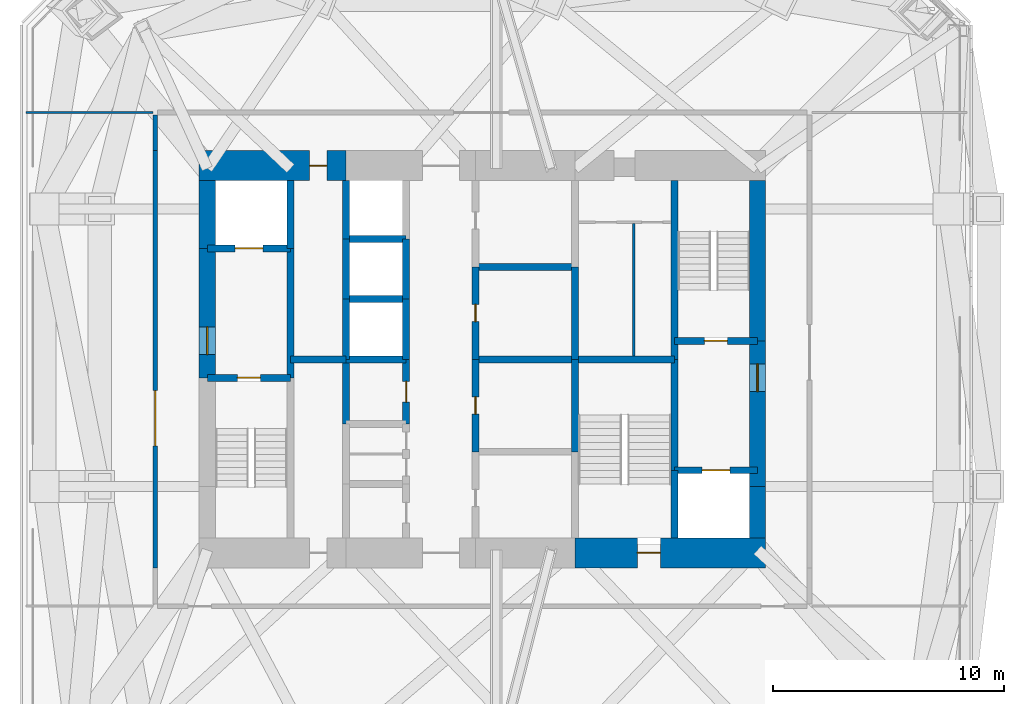
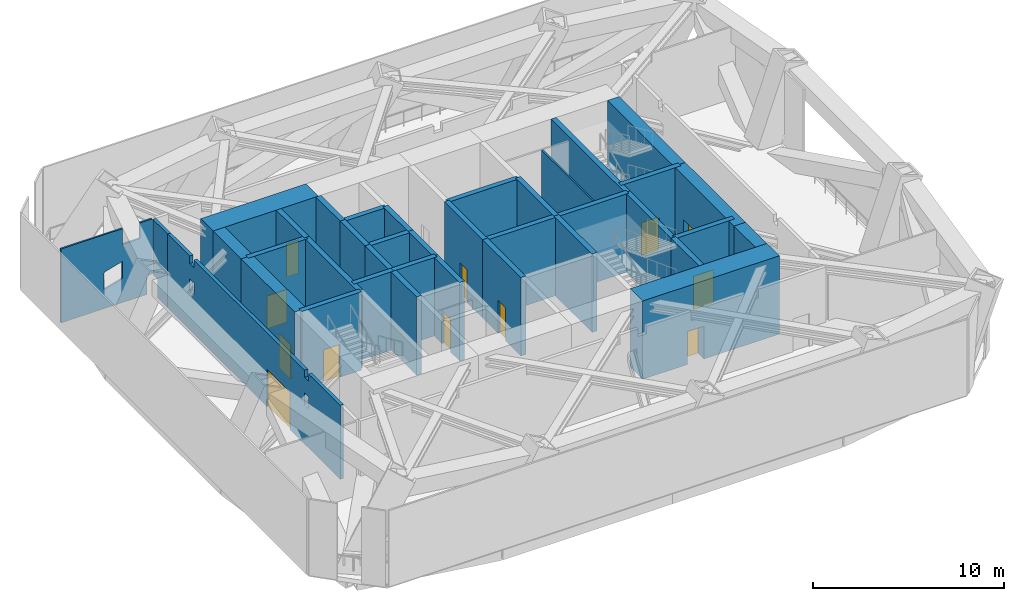
# One storey, part 4 of 8: 38 walls, 12 doors, 12 openings.
"""IFC4 building model written with IfcOpenShell, lengths in metres."""

from ifc_helpers import new_model, si_unit, direction, frame, frame_2d, origin, place, context, subcontext, project, spatial, polyline, rectangle, outline, extrude, material, layer, layer_set, constituent, constituent_set, type_object, element, fill, save


model = new_model("IFC4")

# Units and contexts
model_context = context("Model", 3, precision=1e-05, world=origin(), true_north=direction((0.0, 1.0)))
body_context = subcontext(model_context, "Body", "Model", "MODEL_VIEW")
ifc_project = project(units=[si_unit("LENGTHUNIT", "METRE"), si_unit("AREAUNIT", "SQUARE_METRE"), si_unit("VOLUMEUNIT", "CUBIC_METRE"), si_unit("PLANEANGLEUNIT", "RADIAN"), si_unit("MASSUNIT", "GRAM", prefix="KILO")], contexts=[model_context])

# Site, building, storey
site_placement = place(None, origin())
site = spatial("IfcSite", under=ifc_project, at=site_placement, CompositionType="ELEMENT")
building_placement = place(site_placement, origin())
building = spatial("IfcBuilding", under=site, at=building_placement, Name="Jalousie Tower", CompositionType="ELEMENT")
storey_placement = place(building_placement, frame((0.0, 0.0, 207.949951171875)))
storey = spatial("IfcBuildingStorey", under=building, at=storey_placement, Name="L57", CompositionType="ELEMENT", Elevation=207.949951171875)

# Wall, opening, door
ifc_material_1 = material(Name="Concrete f'c 120 MPa", Category="concrete")
ifc_layer_1 = layer(ifc_material_1, 1.300048828125)
ifc_layer_set_1 = layer_set([ifc_layer_1], Name="Concrete f'c 120 MPa")
wall_type_1 = type_object("IfcWallType", Name="CORE WALL 1300", PredefinedType="SHEAR", material=ifc_layer_set_1)
wall_1_placement = place(storey_placement, frame((35.89990234375, 10.125, 0.0), z_axis=(0.0, 0.0, 1.0), x_axis=(1.0, 0.0, 0.0)))
wall_1 = element("IfcWall", 1, at=wall_1_placement, inside=storey, type_object=wall_type_1, Name="Core wall SD L57", PredefinedType="SHEAR", context=body_context, shape_type="SweptSolid", body=[
    extrude(rectangle(XDim=8.25, YDim=1.300048828125, at=frame_2d((4.125, 0.0))), origin(), (0.0, 0.0, 1.0), 5.0),
])
opening_1_placement = place(wall_1_placement, frame((2.699951171875, 0.0, 0.0)))
opening_1 = element("IfcOpeningElement", 2, at=opening_1_placement, cuts=wall_1, Name="Opening D10", PredefinedType="OPENING", context=body_context, shape_type="SweptSolid", body=[
    extrude(rectangle(XDim=1.0, YDim=2.10009765625, at=frame_2d((0.5, 1.050048828125))), frame((0.0, 0.659912109375, 0.0), z_axis=(0.0, -1.0, 0.0), x_axis=(1.0, 0.0, 0.0)), (0.0, 0.0, 1.0), 1.320068359375),
])
ifc_material_2 = material(Name="Steel fire door", Category="steel")
door_type_1 = type_object("IfcDoorType", Name="STAIR DOOR 1000", OperationType="SINGLE_SWING_LEFT", PredefinedType="DOOR", material=ifc_material_2)
door_1_placement = place(opening_1_placement, origin())
door_1 = element("IfcDoor", 3, at=door_1_placement, inside=storey, type_object=door_type_1, Name="Exit stair C door", OperationType="SINGLE_SWING_RIGHT", OverallHeight=2.10009765625, OverallWidth=1.0, PredefinedType="DOOR", context=body_context, shape_type="SweptSolid", body=[
    extrude(rectangle(XDim=1.0, YDim=2.10009765625, at=frame_2d((0.5, 1.050048828125))), frame((0.0, 0.02490234375, 0.0), z_axis=(0.0, -1.0, 0.0), x_axis=(1.0, 0.0, 0.0)), (0.0, 0.0, 1.0), 0.050048828125),
])
fill(opening_1, door_1)

wall_2_placement = place(storey_placement, frame((26.0, 26.875, 0.0), z_axis=(0.0, 0.0, 1.0), x_axis=(-1.0, 0.0, 0.0)))
wall_2 = element("IfcWall", 4, at=wall_2_placement, inside=storey, type_object=wall_type_1, Name="Core wall ND L57", PredefinedType="SHEAR", context=body_context, shape_type="SweptSolid", body=[
    extrude(rectangle(XDim=6.35009765625, YDim=1.300048828125, at=frame_2d((3.175048828125, 0.0))), origin(), (0.0, 0.0, 1.0), 5.0),
])
opening_2_placement = place(wall_2_placement, frame((0.824951171875, 0.0, 0.0)))
opening_2 = element("IfcOpeningElement", 5, at=opening_2_placement, cuts=wall_2, Name="Opening D16", PredefinedType="OPENING", context=body_context, shape_type="SweptSolid", body=[
    extrude(rectangle(XDim=0.75, YDim=2.10009765625, at=frame_2d((0.375, 1.050048828125))), frame((0.0, 0.659912109375, 0.0), z_axis=(0.0, -1.0, 0.0), x_axis=(1.0, 0.0, 0.0)), (0.0, 0.0, 1.0), 1.320068359375),
])
ifc_material_3 = material(Name="Steel fire door", Category="steel")
door_type_2 = type_object("IfcDoorType", Name="RISER DOOR 750", OperationType="SINGLE_SWING_LEFT", PredefinedType="DOOR", material=ifc_material_3)
door_2_placement = place(opening_2_placement, origin())
door_2 = element("IfcDoor", 6, at=door_2_placement, inside=storey, type_object=door_type_2, Name="North riser door", OperationType="SINGLE_SWING_RIGHT", OverallHeight=2.10009765625, OverallWidth=0.75, PredefinedType="DOOR", context=body_context, shape_type="SweptSolid", body=[
    extrude(rectangle(XDim=0.75, YDim=2.10009765625, at=frame_2d((0.375, 1.050048828125))), frame((0.0, 0.02490234375, 0.0), z_axis=(0.0, -1.0, 0.0), x_axis=(1.0, 0.0, 0.0)), (0.0, 0.0, 1.0), 0.050048828125),
])
fill(opening_2, door_2)

# Walls
ifc_material_4 = material(Name="Concrete f'c 120 MPa", Category="concrete")
ifc_layer_2 = layer(ifc_material_4, 0.300048828125)
ifc_layer_set_2 = layer_set([ifc_layer_2], Name="Concrete f'c 120 MPa")
wall_type_2 = type_object("IfcWallType", Name="CORE WALL 300", PredefinedType="SHEAR", material=ifc_layer_set_2)
wall_3_placement = place(storey_placement, frame((23.60009765625, 17.699951171875, 0.0), z_axis=(0.0, 0.0, 1.0), x_axis=(0.0, 1.0, 0.0)))
element("IfcWall", 7, at=wall_3_placement, inside=storey, type_object=wall_type_2, Name="Core wall X23.6B L57", PredefinedType="SHEAR", context=body_context, shape_type="SweptSolid", body=[
    extrude(rectangle(XDim=5.60009765625, YDim=0.300048828125, at=frame_2d((2.800048828125, 0.0))), origin(), (0.0, 0.0, 1.0), 5.0),
])
wall_4_placement = place(storey_placement, frame((23.60009765625, 23.300048828125, 0.0), z_axis=(0.0, 0.0, 1.0), x_axis=(0.0, 1.0, 0.0)))
element("IfcWall", 8, at=wall_4_placement, inside=storey, type_object=wall_type_2, Name="Core wall X23.6C L57", PredefinedType="SHEAR", context=body_context, shape_type="SweptSolid", body=[
    extrude(rectangle(XDim=2.925048828125, YDim=0.300048828125, at=frame_2d((1.46240234375, 0.0))), origin(), (0.0, 0.0, 1.0), 5.0),
])
wall_5_placement = place(storey_placement, frame((26.0, 15.699951171875, 0.0), z_axis=(0.0, 0.0, 1.0), x_axis=(0.0, 1.0, 0.0)))
element("IfcWall", 9, at=wall_5_placement, inside=storey, type_object=wall_type_2, Name="Core wall X26C L57", PredefinedType="SHEAR", context=body_context, shape_type="SweptSolid", body=[
    extrude(rectangle(XDim=2.800048828125, YDim=0.300048828125, at=frame_2d((1.39990234375, 0.0))), origin(), (0.0, 0.0, 1.0), 5.0),
])
wall_6_placement = place(storey_placement, frame((26.0, 18.5, 0.0), z_axis=(0.0, 0.0, 1.0), x_axis=(0.0, 1.0, 0.0)))
element("IfcWall", 10, at=wall_6_placement, inside=storey, type_object=wall_type_2, Name="Core wall X26D L57", PredefinedType="SHEAR", context=body_context, shape_type="SweptSolid", body=[
    extrude(rectangle(XDim=2.60009765625, YDim=0.300048828125, at=frame_2d((1.300048828125, 0.0))), origin(), (0.0, 0.0, 1.0), 5.0),
])
wall_7_placement = place(storey_placement, frame((26.0, 21.10009765625, 0.0), z_axis=(0.0, 0.0, 1.0), x_axis=(0.0, 1.0, 0.0)))
element("IfcWall", 11, at=wall_7_placement, inside=storey, type_object=wall_type_2, Name="Core wall X26E L57", PredefinedType="SHEAR", context=body_context, shape_type="SweptSolid", body=[
    extrude(rectangle(XDim=2.599853515625, YDim=0.300048828125, at=frame_2d((1.2998046875, 0.0))), origin(), (0.0, 0.0, 1.0), 5.0),
])
wall_8_placement = place(storey_placement, frame((26.0, 23.699951171875, 0.0), z_axis=(0.0, 0.0, 1.0), x_axis=(0.0, 1.0, 0.0)))
element("IfcWall", 12, at=wall_8_placement, inside=storey, type_object=wall_type_2, Name="Core wall X26F L57", PredefinedType="SHEAR", context=body_context, shape_type="SweptSolid", body=[
    extrude(rectangle(XDim=2.525146484375, YDim=0.300048828125, at=frame_2d((1.2626953125, 0.0))), origin(), (0.0, 0.0, 1.0), 5.0),
])

# Wall, opening, door
wall_9_placement = place(storey_placement, frame((28.60009765625, 15.699951171875, 0.0), z_axis=(0.0, 0.0, 1.0), x_axis=(0.0, 1.0, 0.0)))
wall_9 = element("IfcWall", 13, at=wall_9_placement, inside=storey, type_object=wall_type_2, Name="Core wall X28.6C L57", PredefinedType="SHEAR", context=body_context, shape_type="SweptSolid", body=[
    extrude(rectangle(XDim=2.800048828125, YDim=0.300048828125, at=frame_2d((1.39990234375, 0.0))), origin(), (0.0, 0.0, 1.0), 5.0),
])
opening_3_placement = place(wall_9_placement, frame((0.949951171875, 0.0, 0.0)))
opening_3 = element("IfcOpeningElement", 14, at=opening_3_placement, cuts=wall_9, Name="Opening D24", PredefinedType="OPENING", context=body_context, shape_type="SweptSolid", body=[
    extrude(rectangle(XDim=0.89990234375, YDim=2.10009765625, at=frame_2d((0.449951171875, 1.050048828125))), frame((0.0, 0.159912109375, 0.0), z_axis=(0.0, -1.0, 0.0), x_axis=(1.0, 0.0, 0.0)), (0.0, 0.0, 1.0), 0.320068359375),
])
ifc_material_5 = material(Name="Steel fire door", Category="steel")
door_type_3 = type_object("IfcDoorType", Name="CORE ROOM DOOR 900", OperationType="SINGLE_SWING_LEFT", PredefinedType="DOOR", material=ifc_material_5)
door_3_placement = place(opening_3_placement, origin())
door_3 = element("IfcDoor", 15, at=door_3_placement, inside=storey, type_object=door_type_3, Name="IT room door", OperationType="SINGLE_SWING_LEFT", OverallHeight=2.10009765625, OverallWidth=0.89990234375, PredefinedType="DOOR", context=body_context, shape_type="SweptSolid", body=[
    extrude(rectangle(XDim=0.89990234375, YDim=2.10009765625, at=frame_2d((0.449951171875, 1.050048828125))), frame((0.0, 0.02490234375, 0.0), z_axis=(0.0, -1.0, 0.0), x_axis=(1.0, 0.0, 0.0)), (0.0, 0.0, 1.0), 0.050048828125),
])
fill(opening_3, door_3)

# Walls
wall_10_placement = place(storey_placement, frame((28.60009765625, 18.5, 0.0), z_axis=(0.0, 0.0, 1.0), x_axis=(0.0, 1.0, 0.0)))
element("IfcWall", 16, at=wall_10_placement, inside=storey, type_object=wall_type_2, Name="Core wall X28.6D L57", PredefinedType="SHEAR", context=body_context, shape_type="SweptSolid", body=[
    extrude(rectangle(XDim=2.60009765625, YDim=0.300048828125, at=frame_2d((1.300048828125, 0.0))), origin(), (0.0, 0.0, 1.0), 5.0),
])
wall_11_placement = place(storey_placement, frame((28.60009765625, 21.10009765625, 0.0), z_axis=(0.0, 0.0, 1.0), x_axis=(0.0, 1.0, 0.0)))
element("IfcWall", 17, at=wall_11_placement, inside=storey, type_object=wall_type_2, Name="Core wall X28.6E L57", PredefinedType="SHEAR", context=body_context, shape_type="SweptSolid", body=[
    extrude(rectangle(XDim=2.599853515625, YDim=0.300048828125, at=frame_2d((1.2998046875, 0.0))), origin(), (0.0, 0.0, 1.0), 5.0),
])

# Wall, opening, door
wall_12_placement = place(storey_placement, frame((31.60009765625, 14.5, 0.0), z_axis=(0.0, 0.0, 1.0), x_axis=(0.0, 1.0, 0.0)))
wall_12 = element("IfcWall", 18, at=wall_12_placement, inside=storey, type_object=wall_type_2, Name="Core wall X31.6B L57", PredefinedType="SHEAR", context=body_context, shape_type="SweptSolid", body=[
    extrude(rectangle(XDim=4.0, YDim=0.300048828125, at=frame_2d((2.0, 0.0))), origin(), (0.0, 0.0, 1.0), 5.0),
])
opening_4_placement = place(wall_12_placement, frame((1.625, 0.0, 0.0)))
opening_4 = element("IfcOpeningElement", 19, at=opening_4_placement, cuts=wall_12, Name="Opening D16", PredefinedType="OPENING", context=body_context, shape_type="SweptSolid", body=[
    extrude(rectangle(XDim=0.75, YDim=2.10009765625, at=frame_2d((0.375, 1.050048828125))), frame((0.0, 0.159912109375, 0.0), z_axis=(0.0, -1.0, 0.0), x_axis=(1.0, 0.0, 0.0)), (0.0, 0.0, 1.0), 0.320068359375),
])
door_4_placement = place(opening_4_placement, frame((0.75, 0.0, 0.0), z_axis=(0.0, 0.0, 1.0), x_axis=(-1.0, 0.0, 0.0)))
door_4 = element("IfcDoor", 20, at=door_4_placement, inside=storey, type_object=door_type_2, Name="Electrical Room door", OperationType="SINGLE_SWING_RIGHT", OverallHeight=2.10009765625, OverallWidth=0.75, PredefinedType="DOOR", context=body_context, shape_type="SweptSolid", body=[
    extrude(rectangle(XDim=0.75, YDim=2.10009765625, at=frame_2d((0.375, 1.050048828125))), frame((0.0, 0.02490234375, 0.0), z_axis=(0.0, -1.0, 0.0), x_axis=(1.0, 0.0, 0.0)), (0.0, 0.0, 1.0), 0.050048828125),
])
fill(opening_4, door_4)

wall_13_placement = place(storey_placement, frame((31.60009765625, 18.5, 0.0), z_axis=(0.0, 0.0, 1.0), x_axis=(0.0, 1.0, 0.0)))
wall_13 = element("IfcWall", 21, at=wall_13_placement, inside=storey, type_object=wall_type_2, Name="Core wall X31.6C L57", PredefinedType="SHEAR", context=body_context, shape_type="SweptSolid", body=[
    extrude(rectangle(XDim=4.0, YDim=0.300048828125, at=frame_2d((2.0, 0.0))), origin(), (0.0, 0.0, 1.0), 5.0),
])
opening_5_placement = place(wall_13_placement, frame((1.625, 0.0, 0.0)))
opening_5 = element("IfcOpeningElement", 22, at=opening_5_placement, cuts=wall_13, Name="Opening D16", PredefinedType="OPENING", context=body_context, shape_type="SweptSolid", body=[
    extrude(rectangle(XDim=0.75, YDim=2.10009765625, at=frame_2d((0.375, 1.050048828125))), frame((0.0, 0.159912109375, 0.0), z_axis=(0.0, -1.0, 0.0), x_axis=(1.0, 0.0, 0.0)), (0.0, 0.0, 1.0), 0.320068359375),
])
door_5_placement = place(opening_5_placement, frame((0.75, 0.0, 0.0), z_axis=(0.0, 0.0, 1.0), x_axis=(-1.0, 0.0, 0.0)))
door_5 = element("IfcDoor", 23, at=door_5_placement, inside=storey, type_object=door_type_2, Name="Telecom Room door", OperationType="SINGLE_SWING_RIGHT", OverallHeight=2.10009765625, OverallWidth=0.75, PredefinedType="DOOR", context=body_context, shape_type="SweptSolid", body=[
    extrude(rectangle(XDim=0.75, YDim=2.10009765625, at=frame_2d((0.375, 1.050048828125))), frame((0.0, 0.02490234375, 0.0), z_axis=(0.0, -1.0, 0.0), x_axis=(1.0, 0.0, 0.0)), (0.0, 0.0, 1.0), 0.050048828125),
])
fill(opening_5, door_5)

# Walls
for number, where, z_axis, x_axis, name in (
    (24, (35.89990234375, 14.5, 0.0), (0.0, 0.0, 1.0), (0.0, 1.0, 0.0), "Core wall X35.9B L57"),
    (25, (35.89990234375, 18.5, 0.0), (0.0, 0.0, 1.0), (0.0, 1.0, 0.0), "Core wall X35.9C L57"),
):
    element("IfcWall", number, at=place(storey_placement, frame(where, z_axis=z_axis, x_axis=x_axis)), inside=storey, type_object=wall_type_2, Name=name, PredefinedType="SHEAR", context=body_context, shape_type="SweptSolid", body=[
        extrude(rectangle(XDim=4.0, YDim=0.300048828125, at=frame_2d((2.0, 0.0))), origin(), (0.0, 0.0, 1.0), 5.0),
    ])
wall_14_placement = place(storey_placement, frame((40.199951171875, 10.77490234375, 0.0), z_axis=(0.0, 0.0, 1.0), x_axis=(0.0, 1.0, 0.0)))
element("IfcWall", 26, at=wall_14_placement, inside=storey, type_object=wall_type_2, Name="Core wall X40.2A L57", PredefinedType="SHEAR", context=body_context, shape_type="SweptSolid", body=[
    extrude(rectangle(XDim=2.925048828125, YDim=0.300048828125, at=frame_2d((1.46240234375, 0.0))), origin(), (0.0, 0.0, 1.0), 5.0),
])
wall_15_placement = place(storey_placement, frame((40.199951171875, 13.699951171875, 0.0), z_axis=(0.0, 0.0, 1.0), x_axis=(0.0, 1.0, 0.0)))
element("IfcWall", 27, at=wall_15_placement, inside=storey, type_object=wall_type_2, Name="Core wall X40.2B L57", PredefinedType="SHEAR", context=body_context, shape_type="SweptSolid", body=[
    extrude(rectangle(XDim=4.800048828125, YDim=0.300048828125, at=frame_2d((2.39990234375, 0.0))), origin(), (0.0, 0.0, 1.0), 5.0),
])
wall_16_placement = place(storey_placement, frame((40.199951171875, 18.5, 0.0), z_axis=(0.0, 0.0, 1.0), x_axis=(0.0, 1.0, 0.0)))
element("IfcWall", 28, at=wall_16_placement, inside=storey, type_object=wall_type_2, Name="Core wall X40.2C L57", PredefinedType="SHEAR", context=body_context, shape_type="SweptSolid", body=[
    extrude(rectangle(XDim=7.72509765625, YDim=0.300048828125, at=frame_2d((3.862548828125, 0.0))), origin(), (0.0, 0.0, 1.0), 5.0),
])

# Wall, opening, door
wall_17_placement = place(storey_placement, frame((20.0, 17.699951171875, 0.0), z_axis=(0.0, 0.0, 1.0), x_axis=(1.0, 0.0, 0.0)))
wall_17 = element("IfcWall", 29, at=wall_17_placement, inside=storey, type_object=wall_type_2, Name="Core wall Y20-17.7 L57", PredefinedType="SHEAR", context=body_context, shape_type="SweptSolid", body=[
    extrude(rectangle(XDim=3.60009765625, YDim=0.300048828125, at=frame_2d((1.800048828125, 0.0))), origin(), (0.0, 0.0, 1.0), 5.0),
])
opening_6_placement = place(wall_17_placement, frame((1.300048828125, 0.0, 0.0)))
opening_6 = element("IfcOpeningElement", 30, at=opening_6_placement, cuts=wall_17, Name="Opening D10", PredefinedType="OPENING", context=body_context, shape_type="SweptSolid", body=[
    extrude(rectangle(XDim=1.0, YDim=2.10009765625, at=frame_2d((0.5, 1.050048828125))), frame((0.0, 0.159912109375, 0.0), z_axis=(0.0, -1.0, 0.0), x_axis=(1.0, 0.0, 0.0)), (0.0, 0.0, 1.0), 0.320068359375),
])
door_6_placement = place(opening_6_placement, frame((1.0, 0.0, 0.0), z_axis=(0.0, 0.0, 1.0), x_axis=(-1.0, 0.0, 0.0)))
door_6 = element("IfcDoor", 31, at=door_6_placement, inside=storey, type_object=door_type_1, Name="Exit stair A door", OperationType="SINGLE_SWING_RIGHT", OverallHeight=2.10009765625, OverallWidth=1.0, PredefinedType="DOOR", context=body_context, shape_type="SweptSolid", body=[
    extrude(rectangle(XDim=1.0, YDim=2.10009765625, at=frame_2d((0.5, 1.050048828125))), frame((0.0, 0.02490234375, 0.0), z_axis=(0.0, -1.0, 0.0), x_axis=(1.0, 0.0, 0.0)), (0.0, 0.0, 1.0), 0.050048828125),
])
fill(opening_6, door_6)

wall_18_placement = place(storey_placement, frame((20.0, 23.300048828125, 0.0), z_axis=(0.0, 0.0, 1.0), x_axis=(1.0, 0.0, 0.0)))
wall_18 = element("IfcWall", 32, at=wall_18_placement, inside=storey, type_object=wall_type_2, Name="Core wall Y20-23.3 L57", PredefinedType="SHEAR", context=body_context, shape_type="SweptSolid", body=[
    extrude(rectangle(XDim=3.60009765625, YDim=0.300048828125, at=frame_2d((1.800048828125, 0.0))), origin(), (0.0, 0.0, 1.0), 5.0),
])
opening_7_placement = place(wall_18_placement, frame((1.199951171875, 0.0, 0.0)))
opening_7 = element("IfcOpeningElement", 33, at=opening_7_placement, cuts=wall_18, Name="Opening LD2", PredefinedType="OPENING", context=body_context, shape_type="SweptSolid", body=[
    extrude(rectangle(XDim=1.199951171875, YDim=2.10009765625, at=frame_2d((0.60009765625, 1.050048828125))), frame((0.0, 0.159912109375, 0.0), z_axis=(0.0, -1.0, 0.0), x_axis=(1.0, 0.0, 0.0)), (0.0, 0.0, 1.0), 0.320068359375),
])
ifc_material_6 = material(Name="Steel lift landing door", Category="steel")
door_type_4 = type_object("IfcDoorType", Name="LIFT LANDING DOOR 1200", OperationType="SLIDING_TO_LEFT", PredefinedType="DOOR", material=ifc_material_6)
door_7_placement = place(opening_7_placement, origin())
door_7 = element("IfcDoor", 34, at=door_7_placement, inside=storey, type_object=door_type_4, Name="Lift F1 landing door", OperationType="SLIDING_TO_LEFT", OverallHeight=2.10009765625, OverallWidth=1.199951171875, PredefinedType="DOOR", context=body_context, shape_type="SweptSolid", body=[
    extrude(rectangle(XDim=1.199951171875, YDim=2.10009765625, at=frame_2d((0.60009765625, 1.050048828125))), frame((0.0, 0.02490234375, 0.0), z_axis=(0.0, -1.0, 0.0), x_axis=(1.0, 0.0, 0.0)), (0.0, 0.0, 1.0), 0.050048828125),
])
fill(opening_7, door_7)

# Walls
wall_19_placement = place(storey_placement, frame((23.60009765625, 18.5, 0.0), z_axis=(0.0, 0.0, 1.0), x_axis=(1.0, 0.0, 0.0)))
element("IfcWall", 35, at=wall_19_placement, inside=storey, type_object=wall_type_2, Name="Core wall Y23.6-18.5 L57", PredefinedType="SHEAR", context=body_context, shape_type="SweptSolid", body=[
    extrude(rectangle(XDim=2.39990234375, YDim=0.300048828125, at=frame_2d((1.199951171875, 0.0))), origin(), (0.0, 0.0, 1.0), 5.0),
])
for number, where, z_axis, x_axis, name in (
    (36, (26.0, 18.5, 0.0), (0.0, 0.0, 1.0), (1.0, 0.0, 0.0), "Core wall Y26-18.5 L57"),
    (37, (26.0, 21.10009765625, 0.0), (0.0, 0.0, 1.0), (1.0, 0.0, 0.0), "Core wall Y26-21.1 L57"),
    (38, (26.0, 23.699951171875, 0.0), (0.0, 0.0, 1.0), (1.0, 0.0, 0.0), "Core wall Y26-23.7 L57"),
):
    element("IfcWall", number, at=place(storey_placement, frame(where, z_axis=z_axis, x_axis=x_axis)), inside=storey, type_object=wall_type_2, Name=name, PredefinedType="SHEAR", context=body_context, shape_type="SweptSolid", body=[
        extrude(rectangle(XDim=2.60009765625, YDim=0.300048828125, at=frame_2d((1.300048828125, 0.0))), origin(), (0.0, 0.0, 1.0), 5.0),
    ])
for number, where, z_axis, x_axis, name in (
    (39, (31.60009765625, 18.5, 0.0), (0.0, 0.0, 1.0), (1.0, 0.0, 0.0), "Core wall Y31.6-18.5 L57"),
    (40, (31.60009765625, 22.5, 0.0), (0.0, 0.0, 1.0), (1.0, 0.0, 0.0), "Core wall Y31.6-22.5 L57"),
):
    element("IfcWall", number, at=place(storey_placement, frame(where, z_axis=z_axis, x_axis=x_axis)), inside=storey, type_object=wall_type_2, Name=name, PredefinedType="SHEAR", context=body_context, shape_type="SweptSolid", body=[
        extrude(rectangle(XDim=4.2998046875, YDim=0.300048828125, at=frame_2d((2.14990234375, 0.0))), origin(), (0.0, 0.0, 1.0), 5.0),
    ])
wall_20_placement = place(storey_placement, frame((35.89990234375, 18.5, 0.0), z_axis=(0.0, 0.0, 1.0), x_axis=(1.0, 0.0, 0.0)))
element("IfcWall", 41, at=wall_20_placement, inside=storey, type_object=wall_type_2, Name="Core wall Y35.9-18.5 L57", PredefinedType="SHEAR", context=body_context, shape_type="SweptSolid", body=[
    extrude(rectangle(XDim=4.300048828125, YDim=0.300048828125, at=frame_2d((2.14990234375, 0.0))), origin(), (0.0, 0.0, 1.0), 5.0),
])

# Wall, opening, door
wall_21_placement = place(storey_placement, frame((40.199951171875, 13.699951171875, 0.0), z_axis=(0.0, 0.0, 1.0), x_axis=(1.0, 0.0, 0.0)))
wall_21 = element("IfcWall", 42, at=wall_21_placement, inside=storey, type_object=wall_type_2, Name="Core wall Y40.2-13.7 L57", PredefinedType="SHEAR", context=body_context, shape_type="SweptSolid", body=[
    extrude(rectangle(XDim=3.60009765625, YDim=0.300048828125, at=frame_2d((1.800048828125, 0.0))), origin(), (0.0, 0.0, 1.0), 5.0),
])
opening_8_placement = place(wall_21_placement, frame((1.199951171875, 0.0, 0.0)))
opening_8 = element("IfcOpeningElement", 43, at=opening_8_placement, cuts=wall_21, Name="Opening LD2", PredefinedType="OPENING", context=body_context, shape_type="SweptSolid", body=[
    extrude(rectangle(XDim=1.199951171875, YDim=2.10009765625, at=frame_2d((0.60009765625, 1.050048828125))), frame((0.0, 0.159912109375, 0.0), z_axis=(0.0, -1.0, 0.0), x_axis=(1.0, 0.0, 0.0)), (0.0, 0.0, 1.0), 0.320068359375),
])
door_8_placement = place(opening_8_placement, origin())
door_8 = element("IfcDoor", 44, at=door_8_placement, inside=storey, type_object=door_type_4, Name="Lift F2 landing door", OperationType="SLIDING_TO_LEFT", OverallHeight=2.10009765625, OverallWidth=1.199951171875, PredefinedType="DOOR", context=body_context, shape_type="SweptSolid", body=[
    extrude(rectangle(XDim=1.199951171875, YDim=2.10009765625, at=frame_2d((0.60009765625, 1.050048828125))), frame((0.0, 0.02490234375, 0.0), z_axis=(0.0, -1.0, 0.0), x_axis=(1.0, 0.0, 0.0)), (0.0, 0.0, 1.0), 0.050048828125),
])
fill(opening_8, door_8)

wall_22_placement = place(storey_placement, frame((40.199951171875, 19.300048828125, 0.0), z_axis=(0.0, 0.0, 1.0), x_axis=(1.0, 0.0, 0.0)))
wall_22 = element("IfcWall", 45, at=wall_22_placement, inside=storey, type_object=wall_type_2, Name="Core wall Y40.2-19.3 L57", PredefinedType="SHEAR", context=body_context, shape_type="SweptSolid", body=[
    extrude(rectangle(XDim=3.60009765625, YDim=0.300048828125, at=frame_2d((1.800048828125, 0.0))), origin(), (0.0, 0.0, 1.0), 5.0),
])
opening_9_placement = place(wall_22_placement, frame((1.300048828125, 0.0, 0.0)))
opening_9 = element("IfcOpeningElement", 46, at=opening_9_placement, cuts=wall_22, Name="Opening D10", PredefinedType="OPENING", context=body_context, shape_type="SweptSolid", body=[
    extrude(rectangle(XDim=1.0, YDim=2.10009765625, at=frame_2d((0.5, 1.050048828125))), frame((0.0, 0.159912109375, 0.0), z_axis=(0.0, -1.0, 0.0), x_axis=(1.0, 0.0, 0.0)), (0.0, 0.0, 1.0), 0.320068359375),
])
door_9_placement = place(opening_9_placement, origin())
door_9 = element("IfcDoor", 47, at=door_9_placement, inside=storey, type_object=door_type_1, Name="Exit stair B door", OperationType="SINGLE_SWING_RIGHT", OverallHeight=2.10009765625, OverallWidth=1.0, PredefinedType="DOOR", context=body_context, shape_type="SweptSolid", body=[
    extrude(rectangle(XDim=1.0, YDim=2.10009765625, at=frame_2d((0.5, 1.050048828125))), frame((0.0, 0.02490234375, 0.0), z_axis=(0.0, -1.0, 0.0), x_axis=(1.0, 0.0, 0.0)), (0.0, 0.0, 1.0), 0.050048828125),
])
fill(opening_9, door_9)

# Wall
ifc_material_7 = material(Name="Concrete f'c 120 MPa", Category="concrete")
ifc_layer_3 = layer(ifc_material_7, 0.699951171875)
ifc_layer_set_3 = layer_set([ifc_layer_3], Name="Concrete f'c 120 MPa")
wall_type_3 = type_object("IfcWallType", Name="CORE WALL 700", PredefinedType="SHEAR", material=ifc_layer_set_3)
wall_23_placement = place(storey_placement, frame((20.0, 26.22509765625, 0.0), z_axis=(0.0, 0.0, 1.0), x_axis=(0.0, -1.0, 0.0)))
element("IfcWall", 48, at=wall_23_placement, inside=storey, type_object=wall_type_3, Name="Core wall WA L57", PredefinedType="SHEAR", context=body_context, shape_type="SweptSolid", body=[
    extrude(rectangle(XDim=2.925048828125, YDim=0.699951171875, at=frame_2d((1.46240234375, 0.0))), origin(), (0.0, 0.0, 1.0), 5.0),
])

# Wall, opening, door
wall_24_placement = place(storey_placement, frame((20.0, 23.300048828125, 0.0), z_axis=(0.0, 0.0, 1.0), x_axis=(0.0, -1.0, 0.0)))
wall_24 = element("IfcWall", 49, at=wall_24_placement, inside=storey, type_object=wall_type_3, Name="Core wall WB L57", PredefinedType="SHEAR", context=body_context, shape_type="SweptSolid", body=[
    extrude(rectangle(XDim=5.60009765625, YDim=0.699951171875, at=frame_2d((2.800048828125, 0.0))), origin(), (0.0, 0.0, 1.0), 5.0),
])
opening_10_placement = place(wall_24_placement, frame((3.39990234375, 0.0, 0.0)))
opening_10 = element("IfcOpeningElement", 50, at=opening_10_placement, cuts=wall_24, Name="Opening D11", PredefinedType="OPENING", context=body_context, shape_type="SweptSolid", body=[
    extrude(rectangle(XDim=1.199951171875, YDim=2.199951171875, at=frame_2d((0.60009765625, 1.10009765625))), frame((0.0, 0.35986328125, 0.0), z_axis=(0.0, -1.0, 0.0), x_axis=(1.0, 0.0, 0.0)), (0.0, 0.0, 1.0), 0.719970703125),
])
ifc_material_8 = material(Name="Steel fire door", Category="steel")
door_type_5 = type_object("IfcDoorType", Name="FIRE DOOR 1200", OperationType="SINGLE_SWING_LEFT", PredefinedType="DOOR", material=ifc_material_8)
door_10_placement = place(opening_10_placement, origin())
door_10 = element("IfcDoor", 51, at=door_10_placement, inside=storey, type_object=door_type_5, Name="Fire-fighting lobby A door", OperationType="SINGLE_SWING_RIGHT", OverallHeight=2.199951171875, OverallWidth=1.199951171875, PredefinedType="DOOR", context=body_context, shape_type="SweptSolid", body=[
    extrude(rectangle(XDim=1.199951171875, YDim=2.199951171875, at=frame_2d((0.60009765625, 1.10009765625))), frame((0.0, 0.02490234375, 0.0), z_axis=(0.0, -1.0, 0.0), x_axis=(1.0, 0.0, 0.0)), (0.0, 0.0, 1.0), 0.050048828125),
])
fill(opening_10, door_10)

# Wall
wall_25_placement = place(storey_placement, frame((43.800048828125, 10.77490234375, 0.0), z_axis=(0.0, 0.0, 1.0), x_axis=(0.0, 1.0, 0.0)))
element("IfcWall", 52, at=wall_25_placement, inside=storey, type_object=wall_type_3, Name="Core wall EA L57", PredefinedType="SHEAR", context=body_context, shape_type="SweptSolid", body=[
    extrude(rectangle(XDim=2.22509765625, YDim=0.699951171875, at=frame_2d((1.112548828125, 0.0))), origin(), (0.0, 0.0, 1.0), 5.0),
])

# Wall, opening, door
wall_26_placement = place(storey_placement, frame((43.800048828125, 13.0, 0.0), z_axis=(0.0, 0.0, 1.0), x_axis=(0.0, 1.0, 0.0)))
wall_26 = element("IfcWall", 53, at=wall_26_placement, inside=storey, type_object=wall_type_3, Name="Core wall EB L57", PredefinedType="SHEAR", context=body_context, shape_type="SweptSolid", body=[
    extrude(rectangle(XDim=6.300048828125, YDim=0.699951171875, at=frame_2d((3.14990234375, 0.0))), origin(), (0.0, 0.0, 1.0), 5.0),
])
opening_11_placement = place(wall_26_placement, frame((4.10009765625, 0.0, 0.0)))
opening_11 = element("IfcOpeningElement", 54, at=opening_11_placement, cuts=wall_26, Name="Opening D11", PredefinedType="OPENING", context=body_context, shape_type="SweptSolid", body=[
    extrude(rectangle(XDim=1.199951171875, YDim=2.199951171875, at=frame_2d((0.60009765625, 1.10009765625))), frame((0.0, 0.35986328125, 0.0), z_axis=(0.0, -1.0, 0.0), x_axis=(1.0, 0.0, 0.0)), (0.0, 0.0, 1.0), 0.719970703125),
])
door_11_placement = place(opening_11_placement, origin())
door_11 = element("IfcDoor", 55, at=door_11_placement, inside=storey, type_object=door_type_5, Name="Fire-fighting lobby B door", OperationType="SINGLE_SWING_RIGHT", OverallHeight=2.199951171875, OverallWidth=1.199951171875, PredefinedType="DOOR", context=body_context, shape_type="SweptSolid", body=[
    extrude(rectangle(XDim=1.199951171875, YDim=2.199951171875, at=frame_2d((0.60009765625, 1.10009765625))), frame((0.0, 0.02490234375, 0.0), z_axis=(0.0, -1.0, 0.0), x_axis=(1.0, 0.0, 0.0)), (0.0, 0.0, 1.0), 0.050048828125),
])
fill(opening_11, door_11)

# Walls
wall_27_placement = place(storey_placement, frame((43.800048828125, 19.300048828125, 0.0), z_axis=(0.0, 0.0, 1.0), x_axis=(0.0, 1.0, 0.0)))
element("IfcWall", 56, at=wall_27_placement, inside=storey, type_object=wall_type_3, Name="Core wall EC L57", PredefinedType="SHEAR", context=body_context, shape_type="SweptSolid", body=[
    extrude(rectangle(XDim=6.925048828125, YDim=0.699951171875, at=frame_2d((3.46240234375, 0.0))), origin(), (0.0, 0.0, 1.0), 5.0),
])
ifc_material_9 = material(Name="Concrete block ASTM C90", Category="concrete")
ifc_constituent_1 = constituent(ifc_material_9, Name="Body")
ifc_material_10 = material(Name="Render")
ifc_constituent_2 = constituent(ifc_material_10, Name="Finish")
ifc_constituent_set_1 = constituent_set(constituents=[ifc_constituent_1, ifc_constituent_2])
wall_type_4 = type_object("IfcWallType", Name="CORRIDOR WALL 200", PredefinedType="PARTITIONING", material=ifc_constituent_set_1)
wall_28_placement = place(storey_placement, frame((17.75, 27.52490234375, 0.0), z_axis=(0.0, 0.0, 1.0), x_axis=(0.0, 1.0, 0.0)))
element("IfcWall", 57, at=wall_28_placement, inside=storey, type_object=wall_type_4, Name="Corridor Wall 200 L57", PredefinedType="PARTITIONING", context=body_context, shape_type="SweptSolid", body=[
    extrude(outline(polyline([(0.0, 4.719970703125), (0.0, 0.0), (1.061279296875, 0.0), (1.061279296875, 1.199951171875), (1.550048828125, 1.199951171875), (1.550048828125, 4.719970703125), (0.0, 4.719970703125)])), frame((0.0, 0.10009765625, 0.0), z_axis=(0.0, -1.0, 0.0), x_axis=(1.0, 0.0, 0.0)), (0.0, 0.0, 1.0), 0.199951171875),
])

# Wall, opening, door
wall_29_placement = place(storey_placement, frame((17.75, 9.47509765625, 0.0), z_axis=(0.0, 0.0, 1.0), x_axis=(0.0, 1.0, 0.0)))
wall_29 = element("IfcWall", 58, at=wall_29_placement, inside=storey, type_object=wall_type_4, Name="Corridor Wall 200 L57", PredefinedType="PARTITIONING", context=body_context, shape_type="SweptSolid", body=[
    extrude(outline(polyline([(18.050048828125, 0.0), (18.050048828125, 4.719970703125), (15.737060546875, 4.719970703125), (15.737060546875, 4.2451171875), (15.31298828125, 4.2451171875), (15.31298828125, 4.719970703125), (3.737060546875, 4.719970703125), (3.737060546875, 4.2451171875), (3.31298828125, 4.2451171875), (3.31298828125, 4.719970703125), (0.0, 4.719970703125), (0.0, 0.0), (18.050048828125, 0.0)]), holes=[polyline([(3.302978515625, 2.5146484375), (3.302978515625, 3.2587890625), (3.7470703125, 3.2587890625), (3.7470703125, 2.5146484375), (3.302978515625, 2.5146484375)]), polyline([(15.302978515625, 2.5146484375), (15.302978515625, 3.2587890625), (15.7470703125, 3.2587890625), (15.7470703125, 2.5146484375), (15.302978515625, 2.5146484375)])]), frame((0.0, 0.10009765625, 0.0), z_axis=(0.0, -1.0, 0.0), x_axis=(1.0, 0.0, 0.0)), (0.0, 0.0, 1.0), 0.199951171875),
])
opening_12_placement = place(wall_29_placement, frame((5.27490234375, 0.0, 0.0)))
opening_12 = element("IfcOpeningElement", 59, at=opening_12_placement, cuts=wall_29, Name="Opening D9", PredefinedType="OPENING", context=body_context, shape_type="SweptSolid", body=[
    extrude(rectangle(XDim=2.39990234375, YDim=2.39990234375, at=frame_2d((1.199951171875, 1.199951171875))), frame((0.0, 0.10986328125, 0.0), z_axis=(0.0, -1.0, 0.0), x_axis=(1.0, 0.0, 0.0)), (0.0, 0.0, 1.0), 0.219970703125),
])
ifc_material_11 = material(Name="Steel fire door", Category="steel")
door_type_6 = type_object("IfcDoorType", Name="PLANT DOOR 2400", OperationType="DOUBLE_DOOR_SINGLE_SWING", PredefinedType="DOOR", material=ifc_material_11)
door_12_placement = place(opening_12_placement, origin())
door_12 = element("IfcDoor", 60, at=door_12_placement, inside=storey, type_object=door_type_6, Name="Electrical plant room door", OperationType="DOUBLE_DOOR_SINGLE_SWING", OverallHeight=2.39990234375, OverallWidth=2.39990234375, PredefinedType="DOOR", context=body_context, shape_type="SweptSolid", body=[
    extrude(rectangle(XDim=2.39990234375, YDim=2.39990234375, at=frame_2d((1.199951171875, 1.199951171875))), frame((0.0, 0.02490234375, 0.0), z_axis=(0.0, -1.0, 0.0), x_axis=(1.0, 0.0, 0.0)), (0.0, 0.0, 1.0), 0.050048828125),
])
fill(opening_12, door_12)

# Walls
ifc_material_12 = material(Name="Gypsum board", Category="gypsum")
ifc_constituent_3 = constituent(ifc_material_12, Name="Body")
ifc_material_13 = material(Name="Light-gauge steel studs ASTM A653 SS Grade 33", Category="steel")
ifc_constituent_4 = constituent(ifc_material_13, Name="Framing")
ifc_constituent_set_2 = constituent_set(constituents=[ifc_constituent_3, ifc_constituent_4])
wall_type_5 = type_object("IfcWallType", Name="PARTITION 100", PredefinedType="PARTITIONING", material=ifc_constituent_set_2)
wall_30_placement = place(storey_placement, frame((12.14990234375, 29.175048828125, 0.0), z_axis=(0.0, 0.0, 1.0), x_axis=(1.0, 0.0, 0.0)))
element("IfcWall", 61, at=wall_30_placement, inside=storey, type_object=wall_type_5, Name="Partition 100 L57", PredefinedType="PARTITIONING", context=body_context, shape_type="SweptSolid", body=[
    extrude(outline(polyline([(5.5, 1.199951171875), (5.5, 4.719970703125), (4.77001953125, 4.719970703125), (4.77001953125, 3.719970703125), (3.71435546875, 3.719970703125), (3.71435546875, 4.719970703125), (0.0, 4.719970703125), (0.0, 0.0), (5.177001953125, 0.0), (5.177001953125, 1.199951171875), (5.5, 1.199951171875)]), holes=[polyline([(2.5859375, 1.218505859375), (2.5859375, 2.26904296875), (2.646484375, 2.3388671875), (3.693603515625, 2.6279296875), (3.693603515625, 1.57763671875), (3.63330078125, 1.5078125), (2.5859375, 1.218505859375)])]), frame((0.0, 0.050048828125, 0.0), z_axis=(0.0, -1.0, 0.0), x_axis=(1.0, 0.0, 0.0)), (0.0, 0.0, 1.0), 0.10009765625),
])
wall_31_placement = place(storey_placement, frame((38.449951171875, 18.64990234375, 0.0), z_axis=(0.0, 0.0, 1.0), x_axis=(0.0, 1.0, 0.0)))
element("IfcWall", 62, at=wall_31_placement, inside=storey, type_object=wall_type_5, Name="Partition 100 L57", PredefinedType="PARTITIONING", context=body_context, shape_type="SweptSolid", body=[
    extrude(rectangle(XDim=5.72509765625, YDim=0.10009765625, at=frame_2d((2.862548828125, 0.0))), origin(), (0.0, 0.0, 1.0), 4.719970703125),
])

save(model, "model.ifc")
